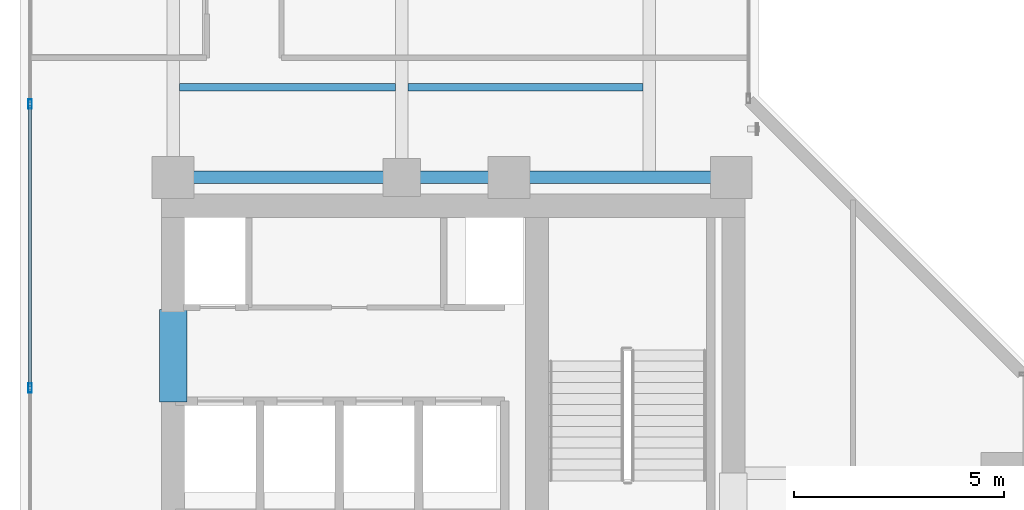
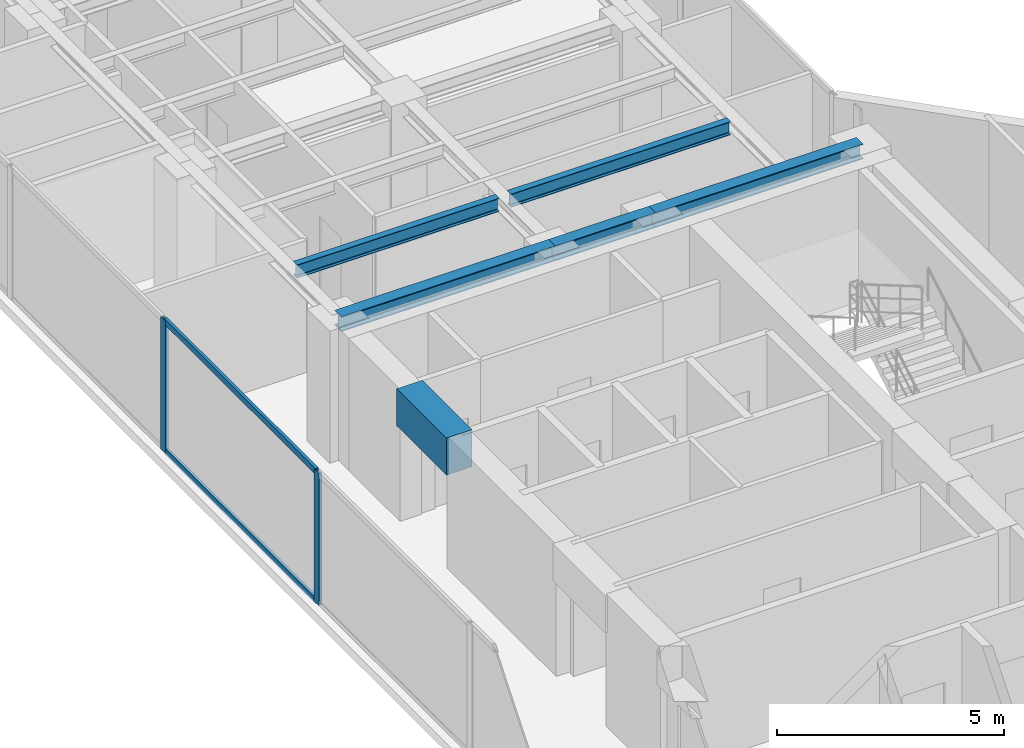
# One storey, part 7 of 23: 6 beams, 4 members, 1 element without a shape of its own.
"""IFC4 building model written with IfcOpenShell, lengths in metres."""

from ifc_helpers import new_model, si_unit, direction, frame, origin, origin_with_axes, origin_2d, place, context, subcontext, project, spatial, rectangle, hollow_rectangle, i_section, extrude, source, transform, mapped, material, layer, layer_set, material_profile, profile_set, type_object, element, aggregate, save


model = new_model("IFC4")

# Units and contexts
model_context = context("Model", 3, precision=1e-05, world=origin(), true_north=direction((0.0, 1.0)))
body_context = subcontext(model_context, "Body", "Model", "MODEL_VIEW")
ifc_project = project(units=[si_unit("LENGTHUNIT", "METRE"), si_unit("AREAUNIT", "SQUARE_METRE"), si_unit("VOLUMEUNIT", "CUBIC_METRE"), si_unit("PLANEANGLEUNIT", "RADIAN"), si_unit("MASSUNIT", "GRAM", prefix="KILO")], contexts=[model_context])

# Site, building, storey
site_placement = place(None, origin())
site = spatial("IfcSite", under=ifc_project, at=site_placement, CompositionType="ELEMENT")
building_placement = place(site_placement, origin())
building = spatial("IfcBuilding", under=site, at=building_placement, Name="Kolvaren Waterfront Exchange", CompositionType="ELEMENT")
storey_placement = place(building_placement, frame((0.0, 0.0, 234.89990234375)))
storey = spatial("IfcBuildingStorey", under=building, at=storey_placement, Name="L60", CompositionType="ELEMENT", Elevation=234.89990234375)

# Beams
ifc_material_1 = material(Name="Steel S355", Category="steel")
ifc_material_profile_1 = material_profile(ifc_material_1, i_section(OverallWidth=0.300048828125, OverallDepth=0.39990234375, WebThickness=0.013427734375, FlangeThickness=0.02392578125, FilletRadius=0.027099609375, at=origin_2d()), Name="HEB400")
ifc_profile_set_1 = profile_set([ifc_material_profile_1], Name="Steel S355")
beam_type_1 = type_object("IfcBeamType", Name="STR-BM-HEB400", PredefinedType="BEAM", material=ifc_profile_set_1)
beam_1_placement = place(storey_placement, frame((7.449951171875, 24.449951171875, 3.360107421875), z_axis=(1.0, 0.0, 0.0), x_axis=(0.0, 1.0, 0.0)))
element("IfcBeam", 1, at=beam_1_placement, inside=storey, type_object=beam_type_1, Name="L60 north-arm girder 1A", PredefinedType="BEAM", context=body_context, shape_type="SweptSolid", body=[
    extrude(i_section(OverallWidth=0.300048828125, OverallDepth=0.39990234375, WebThickness=0.013427734375, FlangeThickness=0.02392578125, FilletRadius=0.027099609375, at=origin_2d()), origin(), (0.0, 0.0, 1.0), 5.449951171875),
])
beam_2_placement = place(storey_placement, frame((12.89990234375, 24.449951171875, 3.360107421875), z_axis=(1.0, 0.0, 0.0), x_axis=(0.0, 1.0, 0.0)))
element("IfcBeam", 2, at=beam_2_placement, inside=storey, type_object=beam_type_1, Name="L60 north-arm girder 1B", PredefinedType="BEAM", context=body_context, shape_type="SweptSolid", body=[
    extrude(i_section(OverallWidth=0.300048828125, OverallDepth=0.39990234375, WebThickness=0.013427734375, FlangeThickness=0.02392578125, FilletRadius=0.027099609375, at=origin_2d()), origin(), (0.0, 0.0, 1.0), 2.550048828125),
])
beam_3_placement = place(storey_placement, frame((15.449951171875, 24.449951171875, 3.360107421875), z_axis=(1.0, 0.0, 0.0), x_axis=(0.0, 1.0, 0.0)))
element("IfcBeam", 3, at=beam_3_placement, inside=storey, type_object=beam_type_1, Name="L60 north-arm girder 1C", PredefinedType="BEAM", context=body_context, shape_type="SweptSolid", body=[
    extrude(i_section(OverallWidth=0.300048828125, OverallDepth=0.39990234375, WebThickness=0.013427734375, FlangeThickness=0.02392578125, FilletRadius=0.027099609375, at=origin_2d()), origin(), (0.0, 0.0, 1.0), 5.300048828125),
])
ifc_material_profile_2 = material_profile(ifc_material_1, i_section(OverallWidth=0.169921875, OverallDepth=0.360107421875, WebThickness=0.008056640625, FlangeThickness=0.0126953125, FilletRadius=0.01806640625, at=origin_2d()), Name="IPE360")
ifc_profile_set_2 = profile_set([ifc_material_profile_2], Name="Steel S355")
beam_type_2 = type_object("IfcBeamType", Name="STR-BM-IPE360", PredefinedType="JOIST", material=ifc_profile_set_2)
beam_4_placement = place(storey_placement, frame((7.60205078125, 26.60009765625, 3.380126953125), z_axis=(1.0, 0.0, 0.0), x_axis=(0.0, 1.0, 0.0)))
element("IfcBeam", 4, at=beam_4_placement, inside=storey, type_object=beam_type_2, Name="L60 north-arm composite joist 1A", PredefinedType="JOIST", context=body_context, shape_type="SweptSolid", body=[
    extrude(i_section(OverallWidth=0.169921875, OverallDepth=0.360107421875, WebThickness=0.008056640625, FlangeThickness=0.0126953125, FilletRadius=0.01806640625, at=origin_2d()), origin(), (0.0, 0.0, 1.0), 5.14599609375),
])
beam_5_placement = place(storey_placement, frame((13.052001953125, 26.60009765625, 3.380126953125), z_axis=(1.0, 0.0, 0.0), x_axis=(0.0, 1.0, 0.0)))
element("IfcBeam", 5, at=beam_5_placement, inside=storey, type_object=beam_type_2, Name="L60 north-arm composite joist 1B", PredefinedType="JOIST", context=body_context, shape_type="SweptSolid", body=[
    extrude(i_section(OverallWidth=0.169921875, OverallDepth=0.360107421875, WebThickness=0.008056640625, FlangeThickness=0.0126953125, FilletRadius=0.01806640625, at=origin_2d()), origin(), (0.0, 0.0, 1.0), 5.595947265625),
])
ifc_material_2 = material(Name="Concrete C60/75", Category="concrete")
ifc_material_profile_3 = material_profile(ifc_material_2, rectangle(XDim=0.64990234375, YDim=1.0, at=origin_2d()), Name="RC-CB-1000x650")
ifc_profile_set_3 = profile_set([ifc_material_profile_3], Name="Concrete C60/75")
beam_type_3 = type_object("IfcBeamType", Name="STR-CB-1000", PredefinedType="SPANDREL", material=ifc_profile_set_3)
beam_6_placement = place(storey_placement, frame((7.449951171875, 19.10009765625, 3.06005859375), z_axis=(0.0, 1.0, 0.0), x_axis=(-1.0, 0.0, 0.0)))
element("IfcBeam", 6, at=beam_6_placement, inside=storey, type_object=beam_type_3, Name="L60 core coupling beam 5", PredefinedType="SPANDREL", context=body_context, shape_type="SweptSolid", body=[
    extrude(rectangle(XDim=0.64990234375, YDim=1.0, at=origin_2d()), origin(), (0.0, 0.0, 1.0), 2.199951171875),
])

# Curtain wall, members
ifc_material_3 = material(Name="Anodised aluminium 6063-T6", Category="aluminium")
ifc_layer = layer(ifc_material_3, 0.219970703125, Name="Anodised aluminium 6063-T6")
ifc_layer_set = layer_set([ifc_layer], Name="Anodised aluminium 6063-T6")
curtain_wall_type = type_object("IfcCurtainWallType", Name="ARC-CW-SYS2", PredefinedType="USERDEFINED", material=ifc_layer_set)
curtain_wall_placement = place(storey_placement, origin())
curtain_wall = element("IfcCurtainWall", 7, at=curtain_wall_placement, inside=storey, type_object=curtain_wall_type, Name="L60 stick curtain wall CW2 (CW-L60-W)", ObjectType="STICK CURTAIN WALL", PredefinedType="USERDEFINED")
ifc_material_profile_4 = material_profile(ifc_material_3, hollow_rectangle(XDim=0.080078125, YDim=0.219970703125, WallThickness=0.0048828125, at=origin_2d()), Name="ALU-MUL-220x80x5")
ifc_profile_set_4 = profile_set([ifc_material_profile_4], Name="Anodised aluminium 6063-T6")
member_type_1 = type_object("IfcMemberType", Name="ARC-CWM-220", PredefinedType="MULLION", material=ifc_profile_set_4)
shared_shape_1 = source(origin_with_axes(), body_context, "Body", "SweptSolid", [
    extrude(hollow_rectangle(XDim=0.080078125, YDim=0.219970703125, WallThickness=0.0048828125, at=origin_2d()), origin(), (0.0, 0.0, 1.0), 3.56005859375),
])
member_1_placement = place(storey_placement, frame((4.0400390625, 19.433349609375, 0.0), z_axis=(0.0, 0.0, 1.0), x_axis=(-1.0, 0.0, 0.0)))
member_1 = element("IfcMember", 8, at=member_1_placement, type_object=member_type_1, Name="CW2 mullion 3", PredefinedType="MULLION", context=body_context, shape_type="MappedRepresentation", body=[
    mapped(shared_shape_1, transform((0.0, 0.0, 0.0), x_axis=(1.0, 0.0, 0.0), y_axis=(0.0, 1.0, 0.0), z_axis=(0.0, 0.0, 1.0), scale=1.0)),
])
member_2_placement = place(storey_placement, frame((4.0400390625, 26.199951171875, 0.0), z_axis=(0.0, 0.0, 1.0), x_axis=(-1.0, 0.0, 0.0)))
member_2 = element("IfcMember", 9, at=member_2_placement, type_object=member_type_1, Name="CW2 mullion 4", PredefinedType="MULLION", context=body_context, shape_type="MappedRepresentation", body=[
    mapped(shared_shape_1, transform((0.0, 0.0, 0.0), x_axis=(1.0, 0.0, 0.0), y_axis=(0.0, 1.0, 0.0), z_axis=(0.0, 0.0, 1.0), scale=1.0)),
])
ifc_material_profile_5 = material_profile(ifc_material_3, hollow_rectangle(XDim=0.074951171875, YDim=0.159912109375, WallThickness=0.00439453125, at=origin_2d()), Name="ALU-TRN-160x75x4.5")
ifc_profile_set_5 = profile_set([ifc_material_profile_5], Name="Anodised aluminium 6063-T6")
member_type_2 = type_object("IfcMemberType", Name="ARC-CWT-160", PredefinedType="USERDEFINED", material=ifc_profile_set_5)
shared_shape_2 = source(origin_with_axes(), body_context, "Body", "SweptSolid", [
    extrude(hollow_rectangle(XDim=0.074951171875, YDim=0.159912109375, WallThickness=0.00439453125, at=origin_2d()), origin(), (0.0, 0.0, 1.0), 6.6865234375),
])
member_3_placement = place(storey_placement, frame((4.0400390625, 19.473388671875, 0.03759765625), z_axis=(0.0, 1.0, 0.0), x_axis=(-1.0, 0.0, 0.0)))
member_3 = element("IfcMember", 10, at=member_3_placement, type_object=member_type_2, Name="CW2 transom 3.1", ObjectType="TRANSOM", PredefinedType="USERDEFINED", context=body_context, shape_type="MappedRepresentation", body=[
    mapped(shared_shape_2, transform((0.0, 0.0, 0.0), x_axis=(1.0, 0.0, 0.0), y_axis=(0.0, 1.0, 0.0), z_axis=(0.0, 0.0, 1.0), scale=1.0)),
])
member_4_placement = place(storey_placement, frame((4.0400390625, 19.473388671875, 3.522705078125), z_axis=(0.0, 1.0, 0.0), x_axis=(-1.0, 0.0, 0.0)))
member_4 = element("IfcMember", 11, at=member_4_placement, type_object=member_type_2, Name="CW2 transom 3.2", ObjectType="TRANSOM", PredefinedType="USERDEFINED", context=body_context, shape_type="MappedRepresentation", body=[
    mapped(shared_shape_2, transform((0.0, 0.0, 0.0), x_axis=(1.0, 0.0, 0.0), y_axis=(0.0, 1.0, 0.0), z_axis=(0.0, 0.0, 1.0), scale=1.0)),
])
aggregate(curtain_wall, [member_1, member_2, member_3, member_4])

save(model, "model.ifc")
